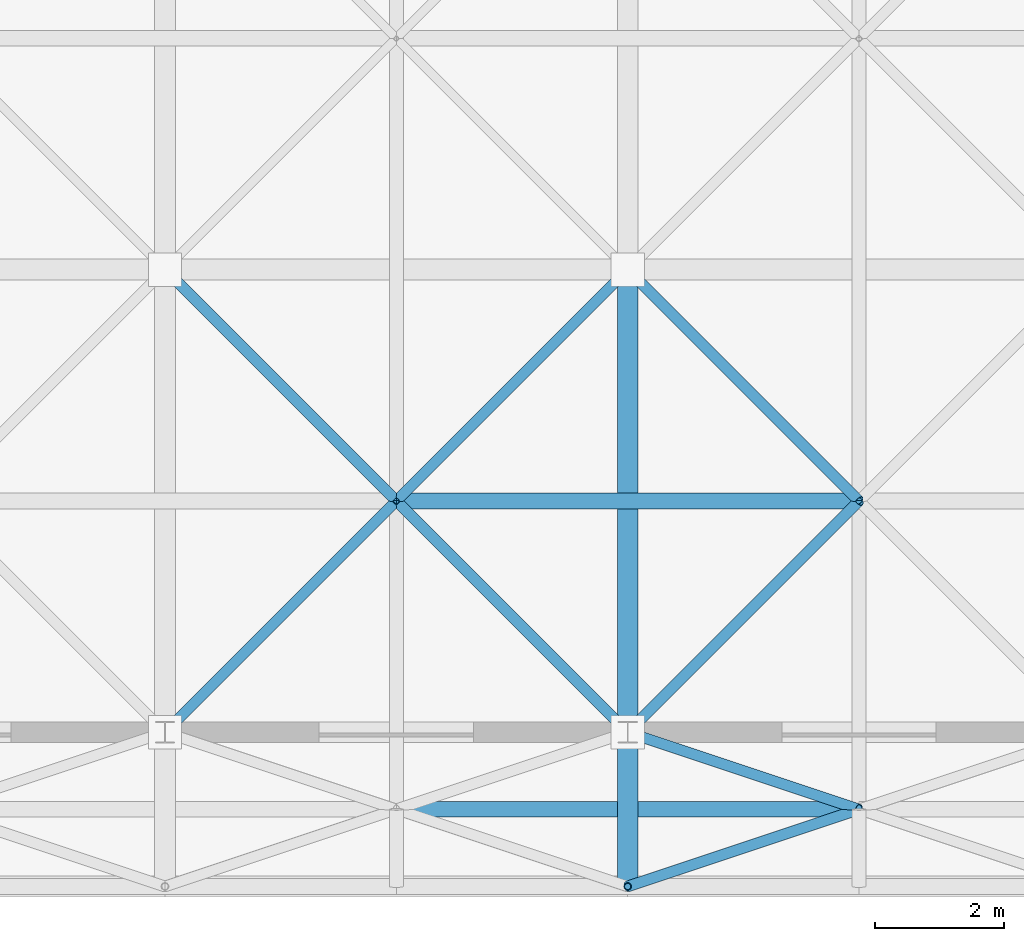
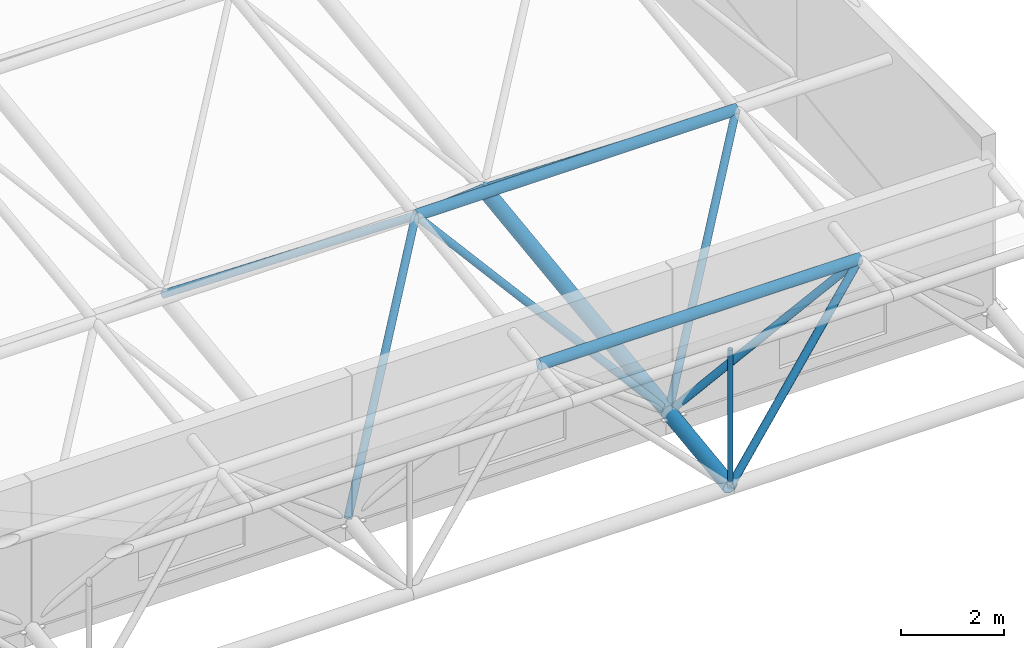
# One storey, part 53 of 103: 13 members.
"""IFC4 building model written with IfcOpenShell, lengths in metres."""

from ifc_helpers import new_model, si_unit, direction, frame, origin, origin_2d, place, context, subcontext, project, spatial, hollow_circle, extrude, material, material_profile, profile_set, type_object, element, save


model = new_model("IFC4")

# Units and contexts
model_context = context("Model", 3, precision=1e-05, world=origin(), true_north=direction((0.0, 1.0)))
body_context = subcontext(model_context, "Body", "Model", "MODEL_VIEW")
ifc_project = project(units=[si_unit("LENGTHUNIT", "METRE"), si_unit("AREAUNIT", "SQUARE_METRE"), si_unit("VOLUMEUNIT", "CUBIC_METRE"), si_unit("PLANEANGLEUNIT", "RADIAN"), si_unit("MASSUNIT", "GRAM", prefix="KILO")], contexts=[model_context])

# Site, building, storey
site_placement = place(None, origin())
site = spatial("IfcSite", under=ifc_project, at=site_placement, CompositionType="ELEMENT")
building_placement = place(site_placement, origin())
building = spatial("IfcBuilding", under=site, at=building_placement, Name="Thalmaran Polytechnic", CompositionType="ELEMENT")
storey_placement = place(building_placement, frame((0.0, 0.0, 14.39990234375)))
storey = spatial("IfcBuildingStorey", under=building, at=storey_placement, Name="L03", CompositionType="ELEMENT", Elevation=14.39990234375)

# Members
ifc_material = material(Name="Steel S355", Category="steel")
ifc_material_profile_1 = material_profile(ifc_material, hollow_circle(Radius=0.122314453125, WallThickness=0.010009765625, at=origin_2d()), Name="CHS 244.5x10.0")
ifc_profile_set_1 = profile_set([ifc_material_profile_1], Name="Steel S355")
member_type_1 = type_object("IfcMemberType", Name="MB-SFC1", PredefinedType="CHORD", material=ifc_profile_set_1)
for number, where, z_axis, x_axis, name in (
    (1, (162.0, -1.199951171875, 3.4921875), (1.0, 0.0, 0.0), (0.0, 1.0, 0.0), "Space-Frame Top Chord X (8,1)"),
    (2, (162.0, 3.60009765625, 4.1240234375), (1.0, 0.0, 0.0), (0.0, 1.0, 0.0), "Space-Frame Top Chord X (8,2)"),
):
    element("IfcMember", number, at=place(storey_placement, frame(where, z_axis=z_axis, x_axis=x_axis)), inside=storey, type_object=member_type_1, Name=name, PredefinedType="CHORD", context=body_context, shape_type="SweptSolid", body=[
        extrude(hollow_circle(Radius=0.122314453125, WallThickness=0.010009765625, at=origin_2d()), origin(), (0.0, 0.0, 1.0), 7.199951171875),
    ])
ifc_material_profile_2 = material_profile(ifc_material, hollow_circle(Radius=0.161865234375, WallThickness=0.012451171875, at=origin_2d()), Name="CHS 323.9x12.5")
ifc_profile_set_2 = profile_set([ifc_material_profile_2], Name="Steel S355")
member_type_2 = type_object("IfcMemberType", Name="MB-SFC4", PredefinedType="CHORD", material=ifc_profile_set_2)
member_1_placement = place(storey_placement, frame((165.60009765625, -2.39990234375, 0.064208984375), z_axis=(0.0, 0.99144674145, 0.130511910828), x_axis=(-1.0, 0.0, 0.0)))
element("IfcMember", 3, at=member_1_placement, inside=storey, type_object=member_type_2, Name="Space-Frame Bottom Chord Y (8,0)", PredefinedType="CHORD", context=body_context, shape_type="SweptSolid", body=[
    extrude(hollow_circle(Radius=0.161865234375, WallThickness=0.012451171875, at=origin_2d()), origin(), (0.0, 0.0, 1.0), 2.420654296875),
])
member_2_placement = place(storey_placement, frame((165.60009765625, 0.0, 0.380126953125), z_axis=(0.0, 0.991447314079, 0.130507560722), x_axis=(-1.0, 0.0, 0.0)))
element("IfcMember", 4, at=member_2_placement, inside=storey, type_object=member_type_2, Name="Space-Frame Bottom Chord Y (8,1)", PredefinedType="CHORD", context=body_context, shape_type="SweptSolid", body=[
    extrude(hollow_circle(Radius=0.161865234375, WallThickness=0.012451171875, at=origin_2d()), origin(), (0.0, 0.0, 1.0), 7.261962890625),
])
ifc_material_profile_3 = material_profile(ifc_material, hollow_circle(Radius=0.084228515625, WallThickness=0.008056640625, at=origin_2d()), Name="CHS 168.3x8.0")
ifc_profile_set_3 = profile_set([ifc_material_profile_3], Name="Steel S355")
member_type_3 = type_object("IfcMemberType", Name="MB-SFD1", PredefinedType="BRACE", material=ifc_profile_set_3)
for number, where, z_axis, x_axis, name in (
    (5, (158.39990234375, 0.0, 0.380126953125), (0.569665890713, 0.569665890713, 0.592420075552), (-0.707106781187, 0.707106781187, 0.0), "Space-Frame Web Diagonal (7,1)-1"),
    (6, (165.60009765625, 0.0, 0.380126953125), (-0.569665890713, 0.569665890713, 0.592420075552), (-0.707106781187, -0.707106781187, 0.0), "Space-Frame Web Diagonal (7,1)-2"),
):
    element("IfcMember", number, at=place(storey_placement, frame(where, z_axis=z_axis, x_axis=x_axis)), inside=storey, type_object=member_type_3, Name=name, PredefinedType="BRACE", context=body_context, shape_type="SweptSolid", body=[
        extrude(hollow_circle(Radius=0.084228515625, WallThickness=0.008056640625, at=origin_2d()), origin(), (0.0, 0.0, 1.0), 6.319580078125),
    ])
for number, where, z_axis, x_axis, name in (
    (7, (158.39990234375, 7.199951171875, 1.327880859375), (0.619803774917, -0.619761742923, 0.481392420597), (0.707082803744, 0.707130757816, 0.0), "Space-Frame Web Diagonal (7,1)-3"),
    (8, (165.60009765625, 7.199951171875, 1.327880859375), (-0.619803774917, -0.619761742923, 0.481392420597), (0.707082803744, -0.707130757816, 0.0), "Space-Frame Web Diagonal (7,1)-4"),
):
    element("IfcMember", number, at=place(storey_placement, frame(where, z_axis=z_axis, x_axis=x_axis)), inside=storey, type_object=member_type_3, Name=name, PredefinedType="BRACE", context=body_context, shape_type="SweptSolid", body=[
        extrude(hollow_circle(Radius=0.084228515625, WallThickness=0.008056640625, at=origin_2d()), origin(), (0.0, 0.0, 1.0), 5.808349609375),
    ])
member_3_placement = place(storey_placement, frame((165.60009765625, -2.39990234375, 0.064208984375), z_axis=(0.703963439546, 0.234654479849, 0.670352706319), x_axis=(-0.316227766017, 0.948683298051, 0.0)))
element("IfcMember", 9, at=member_3_placement, inside=storey, type_object=member_type_3, Name="Space-Frame Web Diagonal (8,0)-1", PredefinedType="BRACE", context=body_context, shape_type="SweptSolid", body=[
    extrude(hollow_circle(Radius=0.084228515625, WallThickness=0.008056640625, at=origin_2d()), origin(), (0.0, 0.0, 1.0), 5.11376953125),
])
member_4_placement = place(storey_placement, frame((165.60009765625, 0.0, 0.380126953125), z_axis=(0.733538280282, -0.244512760094, 0.634141231519), x_axis=(0.316227766017, 0.948683298051, 0.0)))
element("IfcMember", 10, at=member_4_placement, inside=storey, type_object=member_type_3, Name="Space-Frame Web Diagonal (8,0)-3", PredefinedType="BRACE", context=body_context, shape_type="SweptSolid", body=[
    extrude(hollow_circle(Radius=0.084228515625, WallThickness=0.008056640625, at=origin_2d()), origin(), (0.0, 0.0, 1.0), 4.907470703125),
])
member_5_placement = place(storey_placement, frame((165.60009765625, 0.0, 0.380126953125), z_axis=(0.569639794751, 0.569678427494, 0.592433113089), x_axis=(-0.707130757816, 0.707082803744, 0.0)))
element("IfcMember", 11, at=member_5_placement, inside=storey, type_object=member_type_3, Name="Space-Frame Web Diagonal (8,1)-1", PredefinedType="BRACE", context=body_context, shape_type="SweptSolid", body=[
    extrude(hollow_circle(Radius=0.084228515625, WallThickness=0.008056640625, at=origin_2d()), origin(), (0.0, 0.0, 1.0), 6.319580078125),
])
member_6_placement = place(storey_placement, frame((165.60009765625, 7.199951171875, 1.327880859375), z_axis=(0.619777888784, -0.619777888784, 0.481404961699), x_axis=(0.707106781187, 0.707106781187, 0.0)))
element("IfcMember", 12, at=member_6_placement, inside=storey, type_object=member_type_3, Name="Space-Frame Web Diagonal (8,1)-3", PredefinedType="BRACE", context=body_context, shape_type="SweptSolid", body=[
    extrude(hollow_circle(Radius=0.084228515625, WallThickness=0.008056640625, at=origin_2d()), origin(), (0.0, 0.0, 1.0), 5.808349609375),
])
ifc_material_profile_4 = material_profile(ifc_material, hollow_circle(Radius=0.05712890625, WallThickness=0.00634765625, at=origin_2d()), Name="CHS 114.3x6.3")
ifc_profile_set_4 = profile_set([ifc_material_profile_4], Name="Steel S355")
member_type_4 = type_object("IfcMemberType", Name="MB-SFD3", PredefinedType="BRACE", material=ifc_profile_set_4)
member_7_placement = place(storey_placement, frame((165.60009765625, -2.39990234375, 0.064208984375), z_axis=(0.0, 0.0, 1.0), x_axis=(1.0, 0.0, 0.0)))
element("IfcMember", 13, at=member_7_placement, inside=storey, type_object=member_type_4, Name="Space-Frame Eave Post (8,0)", PredefinedType="BRACE", context=body_context, shape_type="SweptSolid", body=[
    extrude(hollow_circle(Radius=0.05712890625, WallThickness=0.00634765625, at=origin_2d()), origin(), (0.0, 0.0, 1.0), 3.27001953125),
])

save(model, "model.ifc")
